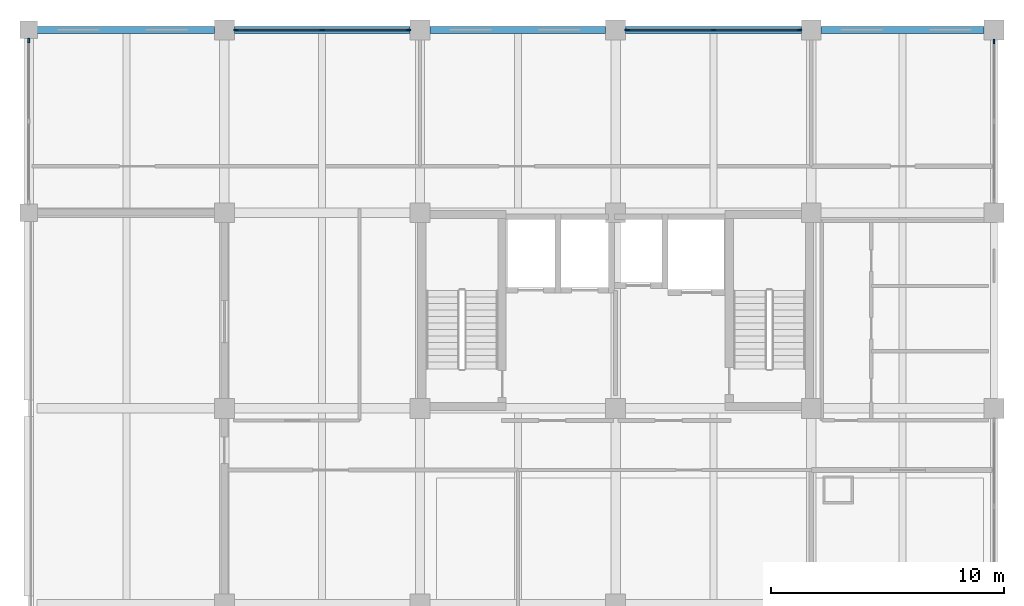
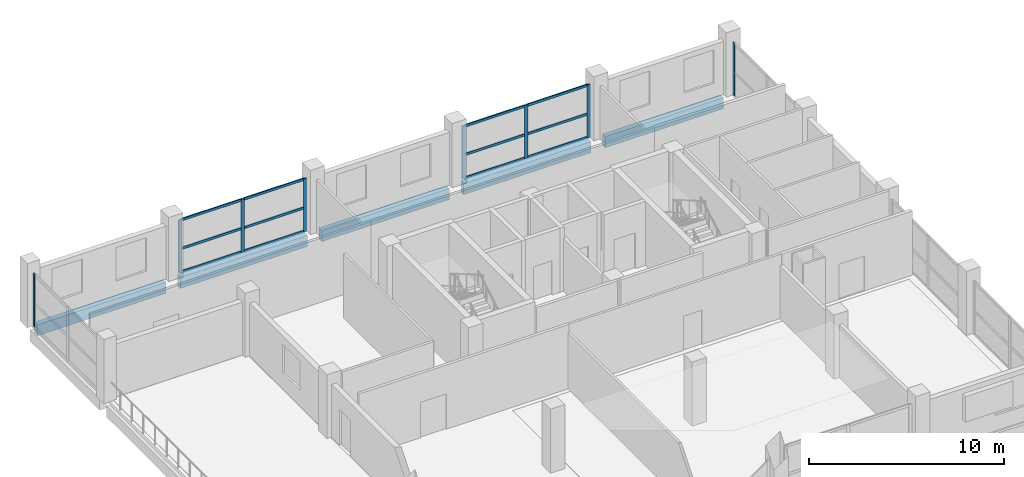
# One storey, part 5 of 10: 20 members, 5 beams, 4 elements without a shape of their own.
"""IFC4 building model written with IfcOpenShell, lengths in metres."""

from ifc_helpers import new_model, si_unit, direction, frame, origin, origin_2d, place, context, subcontext, project, spatial, rectangle, extrude, material, material_profile, profile_set, type_object, element, aggregate, save


model = new_model("IFC4")

# Units and contexts
model_context = context("Model", 3, precision=1e-05, world=origin(), true_north=direction((0.0, 1.0)))
body_context = subcontext(model_context, "Body", "Model", "MODEL_VIEW")
ifc_project = project(units=[si_unit("LENGTHUNIT", "METRE"), si_unit("AREAUNIT", "SQUARE_METRE"), si_unit("VOLUMEUNIT", "CUBIC_METRE"), si_unit("PLANEANGLEUNIT", "RADIAN"), si_unit("MASSUNIT", "GRAM", prefix="KILO")], contexts=[model_context])

# Site, building, storey
site_placement = place(None, origin())
site = spatial("IfcSite", under=ifc_project, at=site_placement, CompositionType="ELEMENT")
building_placement = place(site_placement, origin())
building = spatial("IfcBuilding", under=site, at=building_placement, Name="Brinegate Botanical Conservatory", CompositionType="ELEMENT")
storey_placement = place(building_placement, frame((0.0, 0.0, 27.60009765625)))
storey = spatial("IfcBuildingStorey", under=building, at=storey_placement, Name="L07", CompositionType="ELEMENT", Elevation=27.60009765625)

# Beams
ifc_material_1 = material(Name="Concrete C40/50", Category="concrete")
ifc_material_profile_1 = material_profile(ifc_material_1, rectangle(XDim=0.300048828125, YDim=0.699951171875, at=origin_2d()), Name="RC SPN 300x700")
ifc_profile_set_1 = profile_set([ifc_material_profile_1], Name="Concrete C40/50")
beam_type = type_object("IfcBeamType", Name="Beam_SP-02", PredefinedType="SPANDREL", material=ifc_profile_set_1)
beam_1_placement = place(storey_placement, frame((122.35009765625, 111.449951171875, -0.550048828125), z_axis=(1.0, 0.0, 0.0), x_axis=(0.0, 1.0, 0.0)))
element("IfcBeam", 1, at=beam_1_placement, inside=storey, type_object=beam_type, Name="Beam SP-02 L07 P:16-17", PredefinedType="SPANDREL", context=body_context, shape_type="SweptSolid", body=[
    extrude(rectangle(XDim=0.300048828125, YDim=0.699951171875, at=origin_2d()), origin(), (0.0, 0.0, 1.0), 7.625),
])
beam_2_placement = place(storey_placement, frame((130.824951171875, 111.449951171875, -0.550048828125), z_axis=(1.0, 0.0, 0.0), x_axis=(0.0, 1.0, 0.0)))
element("IfcBeam", 2, at=beam_2_placement, inside=storey, type_object=beam_type, Name="Beam SP-02 L07 P:17-18", PredefinedType="SPANDREL", context=body_context, shape_type="SweptSolid", body=[
    extrude(rectangle(XDim=0.300048828125, YDim=0.699951171875, at=origin_2d()), origin(), (0.0, 0.0, 1.0), 7.550048828125),
])
beam_3_placement = place(storey_placement, frame((139.22509765625, 111.449951171875, -0.550048828125), z_axis=(1.0, 0.0, 0.0), x_axis=(0.0, 1.0, 0.0)))
element("IfcBeam", 3, at=beam_3_placement, inside=storey, type_object=beam_type, Name="Beam SP-02 L07 P:18-19", PredefinedType="SPANDREL", context=body_context, shape_type="SweptSolid", body=[
    extrude(rectangle(XDim=0.300048828125, YDim=0.699951171875, at=origin_2d()), origin(), (0.0, 0.0, 1.0), 7.5498046875),
])
beam_4_placement = place(storey_placement, frame((147.625, 111.449951171875, -0.550048828125), z_axis=(1.0, 0.0, 0.0), x_axis=(0.0, 1.0, 0.0)))
element("IfcBeam", 4, at=beam_4_placement, inside=storey, type_object=beam_type, Name="Beam SP-02 L07 P:19-20", PredefinedType="SPANDREL", context=body_context, shape_type="SweptSolid", body=[
    extrude(rectangle(XDim=0.300048828125, YDim=0.699951171875, at=origin_2d()), origin(), (0.0, 0.0, 1.0), 7.550048828125),
])
beam_5_placement = place(storey_placement, frame((156.02490234375, 111.449951171875, -0.550048828125), z_axis=(1.0, 0.0, 0.0), x_axis=(0.0, 1.0, 0.0)))
element("IfcBeam", 5, at=beam_5_placement, inside=storey, type_object=beam_type, Name="Beam SP-02 L07 P:20-21", PredefinedType="SPANDREL", context=body_context, shape_type="SweptSolid", body=[
    extrude(rectangle(XDim=0.300048828125, YDim=0.699951171875, at=origin_2d()), origin(), (0.0, 0.0, 1.0), 7.0),
])

# Curtain wall, members
ifc_material_2 = material(Name="Thermally broken anodised aluminium AW-6063-T6", Category="aluminium")
curtain_wall_type = type_object("IfcCurtainWallType", Name="CW_CW-TW1", PredefinedType="USERDEFINED", material=ifc_material_2)
curtain_wall_1_placement = place(storey_placement, origin())
curtain_wall_1 = element("IfcCurtainWall", 6, at=curtain_wall_1_placement, inside=storey, type_object=curtain_wall_type, Name="Research lab north curtain wall L07.2", ObjectType="FACTORY CURTAIN WALL", PredefinedType="USERDEFINED")
ifc_material_profile_2 = material_profile(ifc_material_2, rectangle(XDim=0.070068359375, YDim=0.199951171875, at=origin_2d()), Name="ALUM MULLION 70x200")
ifc_profile_set_2 = profile_set([ifc_material_profile_2], Name="Thermally broken anodised aluminium AW-6063-T6")
member_type_1 = type_object("IfcMemberType", Name="Member_ML-03", PredefinedType="MULLION", material=ifc_profile_set_2)
member_1_placement = place(storey_placement, frame((130.89990234375, 111.449951171875, 0.0), z_axis=(0.0, 0.0, 1.0), x_axis=(0.0, 1.0, 0.0)))
member_1 = element("IfcMember", 7, at=member_1_placement, type_object=member_type_1, Name="CW-TW1 mullion 1", PredefinedType="MULLION", context=body_context, shape_type="SweptSolid", body=[
    extrude(rectangle(XDim=0.070068359375, YDim=0.199951171875, at=origin_2d()), origin(), (0.0, 0.0, 1.0), 3.31982421875),
])
member_2_placement = place(storey_placement, frame((134.60009765625, 111.449951171875, 0.0), z_axis=(0.0, 0.0, 1.0), x_axis=(0.0, 1.0, 0.0)))
member_2 = element("IfcMember", 8, at=member_2_placement, type_object=member_type_1, Name="CW-TW1 mullion 2", PredefinedType="MULLION", context=body_context, shape_type="SweptSolid", body=[
    extrude(rectangle(XDim=0.070068359375, YDim=0.199951171875, at=origin_2d()), origin(), (0.0, 0.0, 1.0), 3.31982421875),
])
member_3_placement = place(storey_placement, frame((138.300048828125, 111.449951171875, 0.0), z_axis=(0.0, 0.0, 1.0), x_axis=(0.0, 1.0, 0.0)))
member_3 = element("IfcMember", 9, at=member_3_placement, type_object=member_type_1, Name="CW-TW1 mullion 3", PredefinedType="MULLION", context=body_context, shape_type="SweptSolid", body=[
    extrude(rectangle(XDim=0.070068359375, YDim=0.199951171875, at=origin_2d()), origin(), (0.0, 0.0, 1.0), 3.31982421875),
])

curtain_wall_2_placement = place(storey_placement, origin())
curtain_wall_2 = element("IfcCurtainWall", 10, at=curtain_wall_2_placement, inside=storey, type_object=curtain_wall_type, Name="Research lab north curtain wall L07.4", ObjectType="FACTORY CURTAIN WALL", PredefinedType="USERDEFINED")
member_4_placement = place(storey_placement, frame((147.699951171875, 111.449951171875, 0.0), z_axis=(0.0, 0.0, 1.0), x_axis=(0.0, 1.0, 0.0)))
member_4 = element("IfcMember", 11, at=member_4_placement, type_object=member_type_1, Name="CW-TW1 mullion 1", PredefinedType="MULLION", context=body_context, shape_type="SweptSolid", body=[
    extrude(rectangle(XDim=0.070068359375, YDim=0.199951171875, at=origin_2d()), origin(), (0.0, 0.0, 1.0), 3.31982421875),
])
member_5_placement = place(storey_placement, frame((151.39990234375, 111.449951171875, 0.0), z_axis=(0.0, 0.0, 1.0), x_axis=(0.0, 1.0, 0.0)))
member_5 = element("IfcMember", 12, at=member_5_placement, type_object=member_type_1, Name="CW-TW1 mullion 2", PredefinedType="MULLION", context=body_context, shape_type="SweptSolid", body=[
    extrude(rectangle(XDim=0.070068359375, YDim=0.199951171875, at=origin_2d()), origin(), (0.0, 0.0, 1.0), 3.31982421875),
])
member_6_placement = place(storey_placement, frame((155.10009765625, 111.449951171875, 0.0), z_axis=(0.0, 0.0, 1.0), x_axis=(0.0, 1.0, 0.0)))
member_6 = element("IfcMember", 13, at=member_6_placement, type_object=member_type_1, Name="CW-TW1 mullion 3", PredefinedType="MULLION", context=body_context, shape_type="SweptSolid", body=[
    extrude(rectangle(XDim=0.070068359375, YDim=0.199951171875, at=origin_2d()), origin(), (0.0, 0.0, 1.0), 3.31982421875),
])

# Curtain wall, member
curtain_wall_3_placement = place(storey_placement, origin())
curtain_wall_3 = element("IfcCurtainWall", 14, at=curtain_wall_3_placement, inside=storey, type_object=curtain_wall_type, Name="Tower east curtain wall L07.4", ObjectType="FACTORY CURTAIN WALL", PredefinedType="USERDEFINED")
member_7_placement = place(storey_placement, frame((163.449951171875, 110.949951171875, 0.0), z_axis=(0.0, 0.0, 1.0), x_axis=(1.0, 0.0, 0.0)))
member_7 = element("IfcMember", 15, at=member_7_placement, type_object=member_type_1, Name="CW-TW1 mullion 1", PredefinedType="MULLION", context=body_context, shape_type="SweptSolid", body=[
    extrude(rectangle(XDim=0.070068359375, YDim=0.199951171875, at=origin_2d()), origin(), (0.0, 0.0, 1.0), 3.31982421875),
])
aggregate(curtain_wall_3, [member_7])

curtain_wall_4_placement = place(storey_placement, origin())
curtain_wall_4 = element("IfcCurtainWall", 16, at=curtain_wall_4_placement, inside=storey, type_object=curtain_wall_type, Name="Tower north-west curtain wall L07", ObjectType="FACTORY CURTAIN WALL", PredefinedType="USERDEFINED")
member_8_placement = place(storey_placement, frame((122.0, 111.0, 0.0), z_axis=(0.0, 0.0, 1.0), x_axis=(-1.0, 0.0, 0.0)))
member_8 = element("IfcMember", 17, at=member_8_placement, type_object=member_type_1, Name="CW-TW1 mullion 3", PredefinedType="MULLION", context=body_context, shape_type="SweptSolid", body=[
    extrude(rectangle(XDim=0.070068359375, YDim=0.199951171875, at=origin_2d()), origin(), (0.0, 0.0, 1.0), 3.31982421875),
])
aggregate(curtain_wall_4, [member_8])

# Member
ifc_material_profile_3 = material_profile(ifc_material_2, rectangle(XDim=0.070068359375, YDim=0.14990234375, at=origin_2d()), Name="ALUM TRANSOM 70x150")
ifc_profile_set_3 = profile_set([ifc_material_profile_3], Name="Thermally broken anodised aluminium AW-6063-T6")
member_type_2 = type_object("IfcMemberType", Name="Member_TR-03", PredefinedType="USERDEFINED", material=ifc_profile_set_3)
member_9_placement = place(storey_placement, frame((130.93505859375, 111.449951171875, 0.034912109375), z_axis=(1.0, 0.0, 0.0), x_axis=(0.0, 1.0, 0.0)))
member_9 = element("IfcMember", 18, at=member_9_placement, type_object=member_type_2, Name="CW-TW1 transom 1.1", ObjectType="TRANSOM", PredefinedType="USERDEFINED", context=body_context, shape_type="SweptSolid", body=[
    extrude(rectangle(XDim=0.070068359375, YDim=0.14990234375, at=origin_2d()), origin(), (0.0, 0.0, 1.0), 3.6298828125),
])

member_10_placement = place(storey_placement, frame((130.93505859375, 111.449951171875, 1.493896484375), z_axis=(1.0, 0.0, 0.0), x_axis=(0.0, 1.0, 0.0)))
member_10 = element("IfcMember", 19, at=member_10_placement, type_object=member_type_2, Name="CW-TW1 transom 1.2", ObjectType="TRANSOM", PredefinedType="USERDEFINED", context=body_context, shape_type="SweptSolid", body=[
    extrude(rectangle(XDim=0.070068359375, YDim=0.14990234375, at=origin_2d()), origin(), (0.0, 0.0, 1.0), 3.6298828125),
])

member_11_placement = place(storey_placement, frame((130.93505859375, 111.449951171875, 3.284912109375), z_axis=(1.0, 0.0, 0.0), x_axis=(0.0, 1.0, 0.0)))
member_11 = element("IfcMember", 20, at=member_11_placement, type_object=member_type_2, Name="CW-TW1 transom 1.3", ObjectType="TRANSOM", PredefinedType="USERDEFINED", context=body_context, shape_type="SweptSolid", body=[
    extrude(rectangle(XDim=0.070068359375, YDim=0.14990234375, at=origin_2d()), origin(), (0.0, 0.0, 1.0), 3.6298828125),
])

member_12_placement = place(storey_placement, frame((134.635009765625, 111.449951171875, 0.034912109375), z_axis=(1.0, 0.0, 0.0), x_axis=(0.0, 1.0, 0.0)))
member_12 = element("IfcMember", 21, at=member_12_placement, type_object=member_type_2, Name="CW-TW1 transom 2.1", ObjectType="TRANSOM", PredefinedType="USERDEFINED", context=body_context, shape_type="SweptSolid", body=[
    extrude(rectangle(XDim=0.070068359375, YDim=0.14990234375, at=origin_2d()), origin(), (0.0, 0.0, 1.0), 3.6298828125),
])

member_13_placement = place(storey_placement, frame((134.635009765625, 111.449951171875, 1.493896484375), z_axis=(1.0, 0.0, 0.0), x_axis=(0.0, 1.0, 0.0)))
member_13 = element("IfcMember", 22, at=member_13_placement, type_object=member_type_2, Name="CW-TW1 transom 2.2", ObjectType="TRANSOM", PredefinedType="USERDEFINED", context=body_context, shape_type="SweptSolid", body=[
    extrude(rectangle(XDim=0.070068359375, YDim=0.14990234375, at=origin_2d()), origin(), (0.0, 0.0, 1.0), 3.6298828125),
])

member_14_placement = place(storey_placement, frame((134.635009765625, 111.449951171875, 3.284912109375), z_axis=(1.0, 0.0, 0.0), x_axis=(0.0, 1.0, 0.0)))
member_14 = element("IfcMember", 23, at=member_14_placement, type_object=member_type_2, Name="CW-TW1 transom 2.3", ObjectType="TRANSOM", PredefinedType="USERDEFINED", context=body_context, shape_type="SweptSolid", body=[
    extrude(rectangle(XDim=0.070068359375, YDim=0.14990234375, at=origin_2d()), origin(), (0.0, 0.0, 1.0), 3.6298828125),
])

aggregate(curtain_wall_1, [member_1, member_2, member_3, member_9, member_10, member_11, member_12, member_13, member_14])

member_15_placement = place(storey_placement, frame((147.735107421875, 111.449951171875, 0.034912109375), z_axis=(1.0, 0.0, 0.0), x_axis=(0.0, 1.0, 0.0)))
member_15 = element("IfcMember", 24, at=member_15_placement, type_object=member_type_2, Name="CW-TW1 transom 1.1", ObjectType="TRANSOM", PredefinedType="USERDEFINED", context=body_context, shape_type="SweptSolid", body=[
    extrude(rectangle(XDim=0.070068359375, YDim=0.14990234375, at=origin_2d()), origin(), (0.0, 0.0, 1.0), 3.6298828125),
])

member_16_placement = place(storey_placement, frame((147.735107421875, 111.449951171875, 1.493896484375), z_axis=(1.0, 0.0, 0.0), x_axis=(0.0, 1.0, 0.0)))
member_16 = element("IfcMember", 25, at=member_16_placement, type_object=member_type_2, Name="CW-TW1 transom 1.2", ObjectType="TRANSOM", PredefinedType="USERDEFINED", context=body_context, shape_type="SweptSolid", body=[
    extrude(rectangle(XDim=0.070068359375, YDim=0.14990234375, at=origin_2d()), origin(), (0.0, 0.0, 1.0), 3.6298828125),
])

member_17_placement = place(storey_placement, frame((147.735107421875, 111.449951171875, 3.284912109375), z_axis=(1.0, 0.0, 0.0), x_axis=(0.0, 1.0, 0.0)))
member_17 = element("IfcMember", 26, at=member_17_placement, type_object=member_type_2, Name="CW-TW1 transom 1.3", ObjectType="TRANSOM", PredefinedType="USERDEFINED", context=body_context, shape_type="SweptSolid", body=[
    extrude(rectangle(XDim=0.070068359375, YDim=0.14990234375, at=origin_2d()), origin(), (0.0, 0.0, 1.0), 3.6298828125),
])

member_18_placement = place(storey_placement, frame((151.43505859375, 111.449951171875, 0.034912109375), z_axis=(1.0, 0.0, 0.0), x_axis=(0.0, 1.0, 0.0)))
member_18 = element("IfcMember", 27, at=member_18_placement, type_object=member_type_2, Name="CW-TW1 transom 2.1", ObjectType="TRANSOM", PredefinedType="USERDEFINED", context=body_context, shape_type="SweptSolid", body=[
    extrude(rectangle(XDim=0.070068359375, YDim=0.14990234375, at=origin_2d()), origin(), (0.0, 0.0, 1.0), 3.6298828125),
])

member_19_placement = place(storey_placement, frame((151.43505859375, 111.449951171875, 1.493896484375), z_axis=(1.0, 0.0, 0.0), x_axis=(0.0, 1.0, 0.0)))
member_19 = element("IfcMember", 28, at=member_19_placement, type_object=member_type_2, Name="CW-TW1 transom 2.2", ObjectType="TRANSOM", PredefinedType="USERDEFINED", context=body_context, shape_type="SweptSolid", body=[
    extrude(rectangle(XDim=0.070068359375, YDim=0.14990234375, at=origin_2d()), origin(), (0.0, 0.0, 1.0), 3.6298828125),
])

member_20_placement = place(storey_placement, frame((151.43505859375, 111.449951171875, 3.284912109375), z_axis=(1.0, 0.0, 0.0), x_axis=(0.0, 1.0, 0.0)))
member_20 = element("IfcMember", 29, at=member_20_placement, type_object=member_type_2, Name="CW-TW1 transom 2.3", ObjectType="TRANSOM", PredefinedType="USERDEFINED", context=body_context, shape_type="SweptSolid", body=[
    extrude(rectangle(XDim=0.070068359375, YDim=0.14990234375, at=origin_2d()), origin(), (0.0, 0.0, 1.0), 3.6298828125),
])

aggregate(curtain_wall_2, [member_4, member_5, member_6, member_15, member_16, member_17, member_18, member_19, member_20])

save(model, "model.ifc")
